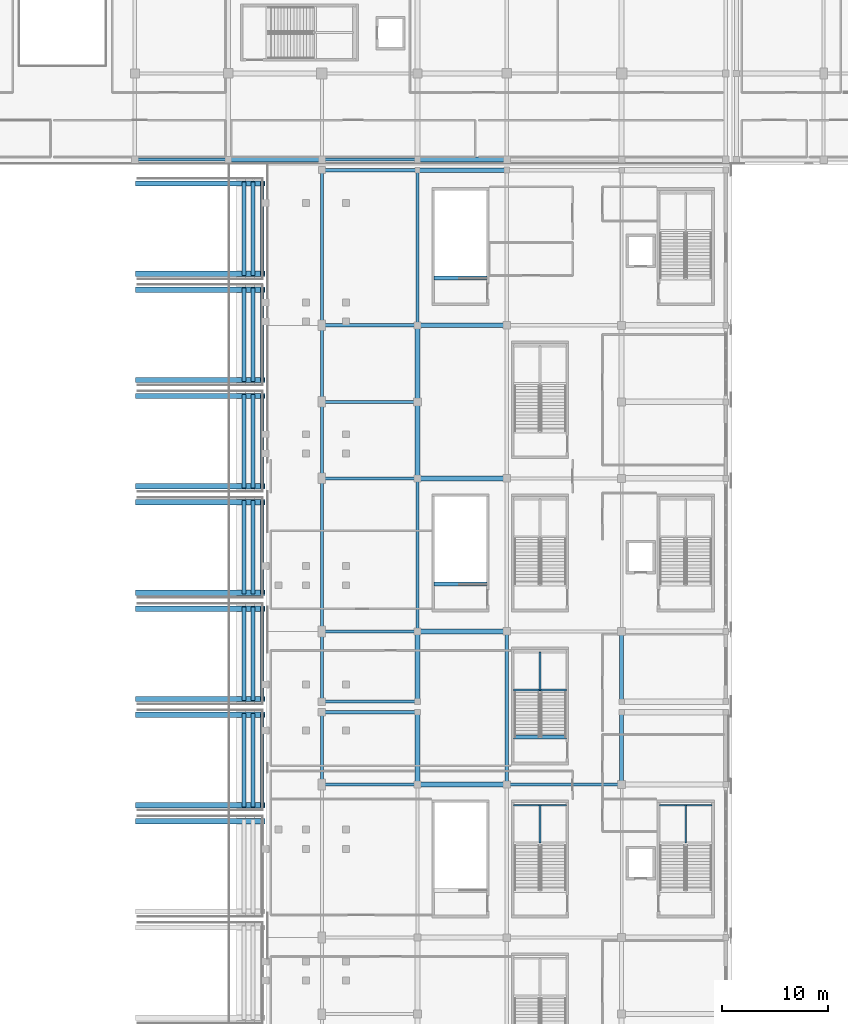
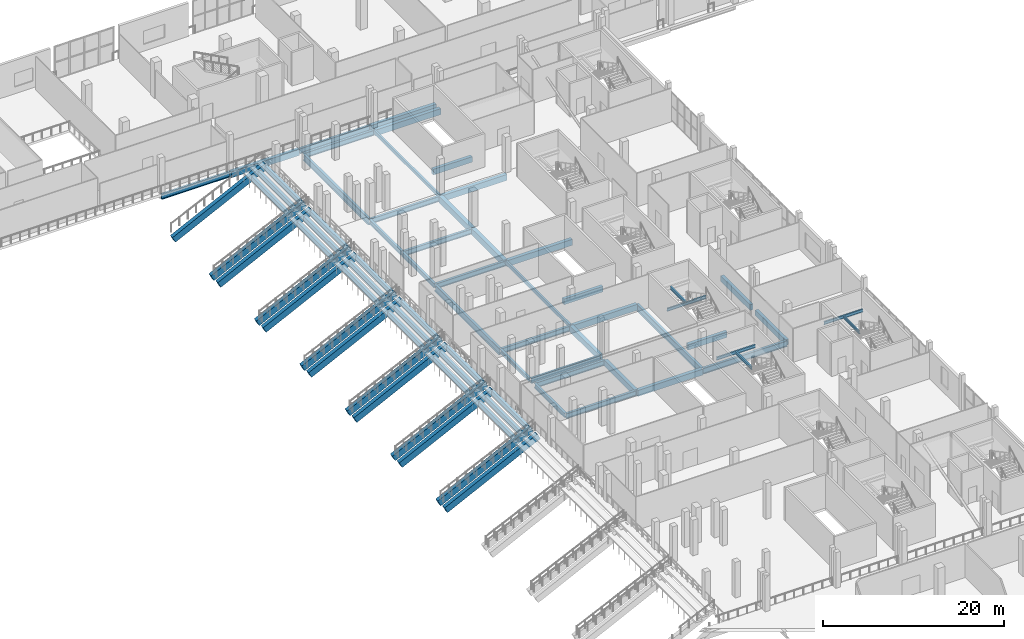
# One storey, part 41 of 129: 73 beams.
"""IFC4 building model written with IfcOpenShell, lengths in metres."""

from ifc_helpers import new_model, si_unit, direction, frame, origin, origin_2d, place, context, subcontext, project, spatial, rectangle, hollow_rectangle, i_section, extrude, material, material_profile, profile_set, type_object, element, save


model = new_model("IFC4")

# Units and contexts
model_context = context("Model", 3, precision=1e-05, world=origin(), true_north=direction((0.0, 1.0)))
body_context = subcontext(model_context, "Body", "Model", "MODEL_VIEW")
ifc_project = project(units=[si_unit("LENGTHUNIT", "METRE"), si_unit("AREAUNIT", "SQUARE_METRE"), si_unit("VOLUMEUNIT", "CUBIC_METRE"), si_unit("PLANEANGLEUNIT", "RADIAN"), si_unit("MASSUNIT", "GRAM", prefix="KILO")], contexts=[model_context])

# Site, building, storey
site_placement = place(None, origin())
site = spatial("IfcSite", under=ifc_project, at=site_placement, CompositionType="ELEMENT")
building_placement = place(site_placement, origin())
building = spatial("IfcBuilding", under=site, at=building_placement, Name="Koshinbarg Plaza Stadium", CompositionType="ELEMENT")
storey_placement = place(building_placement, frame((0.0, 0.0, 5.39990234375)))
storey = spatial("IfcBuildingStorey", under=building, at=storey_placement, Name="L01", CompositionType="ELEMENT", Elevation=5.39990234375)

# Beams
ifc_material_1 = material(Name="Concrete C40/50", Category="concrete")
ifc_material_profile_1 = material_profile(ifc_material_1, rectangle(XDim=0.5, YDim=0.85009765625, at=origin_2d()), Name="RC 500x850")
ifc_profile_set_1 = profile_set([ifc_material_profile_1], Name="Concrete C40/50")
beam_type_1 = type_object("IfcBeamType", Name="BM-RAKER-LT", PredefinedType="USERDEFINED", material=ifc_profile_set_1)
for number, where, z_axis, x_axis, name in (
    (1, (163.0400390625, 65.25, -5.073974609375), (0.897237323905, 0.0, 0.441548620869), (0.0, 1.0, 0.0), "Lower bowl raker girder RAKER LT-E04-R"),
    (2, (163.0400390625, 66.75, -5.073974609375), (0.897237323905, 0.0, 0.441548620869), (0.0, 1.0, 0.0), "Lower bowl raker girder RAKER LT-E05-L"),
    (3, (163.0400390625, 75.25, -5.073974609375), (0.897237323905, 0.0, 0.441548620869), (0.0, 1.0, 0.0), "Lower bowl raker girder RAKER LT-E05-R"),
    (4, (163.0400390625, 76.75, -5.073974609375), (0.897237323905, 0.0, 0.441548620869), (0.0, 1.0, 0.0), "Lower bowl raker girder RAKER LT-E06-L"),
    (5, (163.0400390625, 85.25, -5.073974609375), (0.897237323905, 0.0, 0.441548620869), (0.0, 1.0, 0.0), "Lower bowl raker girder RAKER LT-E06-R"),
    (6, (163.0400390625, 86.75, -5.073974609375), (0.897237323905, 0.0, 0.441548620869), (0.0, 1.0, 0.0), "Lower bowl raker girder RAKER LT-E07-L"),
    (7, (163.0400390625, 95.25, -5.073974609375), (0.897237323905, 0.0, 0.441548620869), (0.0, 1.0, 0.0), "Lower bowl raker girder RAKER LT-E07-R"),
    (8, (163.0400390625, 96.75, -5.073974609375), (0.897237323905, 0.0, 0.441548620869), (0.0, 1.0, 0.0), "Lower bowl raker girder RAKER LT-E08-L"),
    (9, (163.0400390625, 105.25, -5.073974609375), (0.897237323905, 0.0, 0.441548620869), (0.0, 1.0, 0.0), "Lower bowl raker girder RAKER LT-E08-R"),
    (10, (163.0400390625, 106.75, -5.073974609375), (0.897237323905, 0.0, 0.441548620869), (0.0, 1.0, 0.0), "Lower bowl raker girder RAKER LT-E09-L"),
    (11, (163.0400390625, 115.25, -5.073974609375), (0.897237323905, 0.0, 0.441548620869), (0.0, 1.0, 0.0), "Lower bowl raker girder RAKER LT-E09-R"),
    (12, (163.0400390625, 116.75, -5.073974609375), (0.897237323905, 0.0, 0.441548620869), (0.0, 1.0, 0.0), "Lower bowl raker girder RAKER LT-E10-L"),
    (13, (163.0400390625, 125.25, -5.073974609375), (0.897237323905, 0.0, 0.441548620869), (0.0, 1.0, 0.0), "Lower bowl raker girder RAKER LT-E10-R"),
):
    element("IfcBeam", number, at=place(storey_placement, frame(where, z_axis=z_axis, x_axis=x_axis)), inside=storey, type_object=beam_type_1, Name=name, ObjectType="GIRDER", PredefinedType="USERDEFINED", context=body_context, shape_type="SweptSolid", body=[
        extrude(rectangle(XDim=0.5, YDim=0.85009765625, at=origin_2d()), origin(), (0.0, 0.0, 1.0), 13.173828125),
    ])
ifc_material_profile_2 = material_profile(ifc_material_1, rectangle(XDim=0.35009765625, YDim=0.60009765625, at=origin_2d()), Name="RC 350x600")
ifc_profile_set_2 = profile_set([ifc_material_profile_2], Name="Concrete C40/50")
beam_type_2 = type_object("IfcBeamType", Name="BM-RCG-01", PredefinedType="SPANDREL", material=ifc_profile_set_2)
for number, where, z_axis, x_axis, name in (
    (14, (173.080078125, 66.60009765625, -0.27978515625), (0.0, 1.0, 0.0), (-1.0, 0.0, 0.0), "Lower tier seat bearer LT-E05-R12"),
    (15, (173.929931640625, 66.60009765625, 0.14013671875), (0.0, 1.0, 0.0), (-1.0, 0.0, 0.0), "Lower tier seat bearer LT-E05-R13"),
    (16, (174.780029296875, 66.60009765625, 0.56005859375), (0.0, 1.0, 0.0), (-1.0, 0.0, 0.0), "Lower tier seat bearer LT-E05-R14"),
    (17, (173.080078125, 76.60009765625, -0.27978515625), (0.0, 1.0, 0.0), (-1.0, 0.0, 0.0), "Lower tier seat bearer LT-E06-R12"),
    (18, (173.929931640625, 76.60009765625, 0.14013671875), (0.0, 1.0, 0.0), (-1.0, 0.0, 0.0), "Lower tier seat bearer LT-E06-R13"),
    (19, (174.780029296875, 76.60009765625, 0.56005859375), (0.0, 1.0, 0.0), (-1.0, 0.0, 0.0), "Lower tier seat bearer LT-E06-R14"),
    (20, (173.080078125, 86.60009765625, -0.27978515625), (0.0, 1.0, 0.0), (-1.0, 0.0, 0.0), "Lower tier seat bearer LT-E07-R12"),
    (21, (173.929931640625, 86.60009765625, 0.14013671875), (0.0, 1.0, 0.0), (-1.0, 0.0, 0.0), "Lower tier seat bearer LT-E07-R13"),
    (22, (174.780029296875, 86.60009765625, 0.56005859375), (0.0, 1.0, 0.0), (-1.0, 0.0, 0.0), "Lower tier seat bearer LT-E07-R14"),
    (23, (173.080078125, 96.60009765625, -0.27978515625), (0.0, 1.0, 0.0), (-1.0, 0.0, 0.0), "Lower tier seat bearer LT-E08-R12"),
    (24, (173.929931640625, 96.60009765625, 0.14013671875), (0.0, 1.0, 0.0), (-1.0, 0.0, 0.0), "Lower tier seat bearer LT-E08-R13"),
    (25, (174.780029296875, 96.60009765625, 0.56005859375), (0.0, 1.0, 0.0), (-1.0, 0.0, 0.0), "Lower tier seat bearer LT-E08-R14"),
    (26, (173.080078125, 106.60009765625, -0.27978515625), (0.0, 1.0, 0.0), (-1.0, 0.0, 0.0), "Lower tier seat bearer LT-E09-R12"),
    (27, (173.929931640625, 106.60009765625, 0.14013671875), (0.0, 1.0, 0.0), (-1.0, 0.0, 0.0), "Lower tier seat bearer LT-E09-R13"),
    (28, (174.780029296875, 106.60009765625, 0.56005859375), (0.0, 1.0, 0.0), (-1.0, 0.0, 0.0), "Lower tier seat bearer LT-E09-R14"),
    (29, (173.080078125, 116.60009765625, -0.27978515625), (0.0, 1.0, 0.0), (-1.0, 0.0, 0.0), "Lower tier seat bearer LT-E10-R12"),
    (30, (173.929931640625, 116.60009765625, 0.14013671875), (0.0, 1.0, 0.0), (-1.0, 0.0, 0.0), "Lower tier seat bearer LT-E10-R13"),
    (31, (174.780029296875, 116.60009765625, 0.56005859375), (0.0, 1.0, 0.0), (-1.0, 0.0, 0.0), "Lower tier seat bearer LT-E10-R14"),
):
    element("IfcBeam", number, at=place(storey_placement, frame(where, z_axis=z_axis, x_axis=x_axis)), inside=storey, type_object=beam_type_2, Name=name, PredefinedType="SPANDREL", context=body_context, shape_type="SweptSolid", body=[
        extrude(rectangle(XDim=0.35009765625, YDim=0.60009765625, at=origin_2d()), origin(), (0.0, 0.0, 1.0), 8.7998046875),
    ])
ifc_material_profile_3 = material_profile(ifc_material_1, rectangle(XDim=0.39990234375, YDim=0.75, at=origin_2d()), Name="RC 400x750")
ifc_profile_set_3 = profile_set([ifc_material_profile_3], Name="Concrete C40/50")
beam_type_3 = type_object("IfcBeamType", Name="BM-RCG-03", PredefinedType="USERDEFINED", material=ifc_profile_set_3)
beam_1_placement = place(storey_placement, frame((208.60009765625, 68.760009765625, -0.69482421875), z_axis=(0.0, 1.0, 0.0), x_axis=(-1.0, 0.0, 0.0)))
element("IfcBeam", 32, at=beam_1_placement, inside=storey, type_object=beam_type_3, Name="L01 Y girder 20/J-K", ObjectType="GIRDER", PredefinedType="USERDEFINED", context=body_context, shape_type="SweptSolid", body=[
    extrude(rectangle(XDim=0.39990234375, YDim=0.75, at=origin_2d()), origin(), (0.0, 0.0, 1.0), 6.679931640625),
])
beam_2_placement = place(storey_placement, frame((208.60009765625, 76.56005859375, -0.69482421875), z_axis=(0.0, 1.0, 0.0), x_axis=(-1.0, 0.0, 0.0)))
element("IfcBeam", 33, at=beam_2_placement, inside=storey, type_object=beam_type_3, Name="L01 Y girder 20/L-M", ObjectType="GIRDER", PredefinedType="USERDEFINED", context=body_context, shape_type="SweptSolid", body=[
    extrude(rectangle(XDim=0.39990234375, YDim=0.75, at=origin_2d()), origin(), (0.0, 0.0, 1.0), 6.47998046875),
])
for number, where, z_axis, x_axis, name in (
    (34, (198.449951171875, 73.159912109375, -0.375), (1.0, 0.0, 0.0), (0.0, 1.0, 0.0), "L01 stair landing header beam VX10"),
    (35, (190.949951171875, 87.56005859375, -0.375), (1.0, 0.0, 0.0), (0.0, 1.0, 0.0), "L01 stair landing header beam VL07"),
    (36, (190.949951171875, 116.360107421875, -0.375), (1.0, 0.0, 0.0), (0.0, 1.0, 0.0), "L01 stair landing header beam VL08"),
):
    element("IfcBeam", number, at=place(storey_placement, frame(where, z_axis=z_axis, x_axis=x_axis)), inside=storey, type_object=beam_type_3, Name=name, ObjectType="GIRDER", PredefinedType="USERDEFINED", context=body_context, shape_type="SweptSolid", body=[
        extrude(rectangle(XDim=0.39990234375, YDim=0.75, at=origin_2d()), origin(), (0.0, 0.0, 1.0), 4.969970703125),
    ])
ifc_material_profile_4 = material_profile(ifc_material_1, rectangle(XDim=0.449951171875, YDim=0.800048828125, at=origin_2d()), Name="RC 450x800")
ifc_profile_set_4 = profile_set([ifc_material_profile_4], Name="Concrete C40/50")
beam_type_4 = type_object("IfcBeamType", Name="BM-RCG-04", PredefinedType="USERDEFINED", material=ifc_profile_set_4)
for number, where, z_axis, x_axis, name in (
    (37, (189.4599609375, 68.699951171875, -0.719970703125), (1.0, 0.0, 0.0), (0.0, 1.0, 0.0), "L01 X girder J/18-19"),
    (38, (189.4599609375, 83.10009765625, -0.719970703125), (1.0, 0.0, 0.0), (0.0, 1.0, 0.0), "L01 X girder M/18-19"),
    (39, (189.4599609375, 97.5, -0.719970703125), (1.0, 0.0, 0.0), (0.0, 1.0, 0.0), "L01 X girder N/18-19"),
    (40, (189.4599609375, 111.89990234375, -0.719970703125), (1.0, 0.0, 0.0), (0.0, 1.0, 0.0), "L01 X girder Q/18-19"),
    (41, (189.4599609375, 126.5, -0.719970703125), (1.0, 0.0, 0.0), (0.0, 1.0, 0.0), "L01 X girder R/18-19"),
):
    element("IfcBeam", number, at=place(storey_placement, frame(where, z_axis=z_axis, x_axis=x_axis)), inside=storey, type_object=beam_type_4, Name=name, ObjectType="GIRDER", PredefinedType="USERDEFINED", context=body_context, shape_type="SweptSolid", body=[
        extrude(rectangle(XDim=0.449951171875, YDim=0.800048828125, at=origin_2d()), origin(), (0.0, 0.0, 1.0), 8.280029296875),
    ])
beam_3_placement = place(storey_placement, frame((171.659912109375, 127.5, -0.719970703125), z_axis=(1.0, 0.0, 0.0), x_axis=(0.0, 1.0, 0.0)))
element("IfcBeam", 42, at=beam_3_placement, inside=storey, type_object=beam_type_4, Name="L01 X girder S/16-17", ObjectType="GIRDER", PredefinedType="USERDEFINED", context=body_context, shape_type="SweptSolid", body=[
    extrude(rectangle(XDim=0.449951171875, YDim=0.800048828125, at=origin_2d()), origin(), (0.0, 0.0, 1.0), 8.68017578125),
])
beam_4_placement = place(storey_placement, frame((189.4599609375, 127.5, -0.719970703125), z_axis=(1.0, 0.0, 0.0), x_axis=(0.0, 1.0, 0.0)))
element("IfcBeam", 43, at=beam_4_placement, inside=storey, type_object=beam_type_4, Name="L01 X girder S/18-19", ObjectType="GIRDER", PredefinedType="USERDEFINED", context=body_context, shape_type="SweptSolid", body=[
    extrude(rectangle(XDim=0.449951171875, YDim=0.800048828125, at=origin_2d()), origin(), (0.0, 0.0, 1.0), 8.280029296875),
])
beam_5_placement = place(storey_placement, frame((189.39990234375, 68.760009765625, -0.719970703125), z_axis=(0.0, 1.0, 0.0), x_axis=(-1.0, 0.0, 0.0)))
element("IfcBeam", 44, at=beam_5_placement, inside=storey, type_object=beam_type_4, Name="L01 Y girder 18/J-K", ObjectType="GIRDER", PredefinedType="USERDEFINED", context=body_context, shape_type="SweptSolid", body=[
    extrude(rectangle(XDim=0.449951171875, YDim=0.800048828125, at=origin_2d()), origin(), (0.0, 0.0, 1.0), 6.679931640625),
])
beam_6_placement = place(storey_placement, frame((189.39990234375, 76.56005859375, -0.719970703125), z_axis=(0.0, 1.0, 0.0), x_axis=(-1.0, 0.0, 0.0)))
element("IfcBeam", 45, at=beam_6_placement, inside=storey, type_object=beam_type_4, Name="L01 Y girder 18/L-M", ObjectType="GIRDER", PredefinedType="USERDEFINED", context=body_context, shape_type="SweptSolid", body=[
    extrude(rectangle(XDim=0.449951171875, YDim=0.800048828125, at=origin_2d()), origin(), (0.0, 0.0, 1.0), 6.47998046875),
])
ifc_material_profile_5 = material_profile(ifc_material_1, rectangle(XDim=0.5, YDim=0.85009765625, at=origin_2d()), Name="RC 500x850")
ifc_profile_set_5 = profile_set([ifc_material_profile_5], Name="Concrete C40/50")
beam_type_5 = type_object("IfcBeamType", Name="BM-RCG-05", PredefinedType="USERDEFINED", material=ifc_profile_set_5)
beam_7_placement = place(storey_placement, frame((189.39990234375, 97.56005859375, -0.744873046875), z_axis=(0.0, 1.0, 0.0), x_axis=(-1.0, 0.0, 0.0)))
element("IfcBeam", 46, at=beam_7_placement, inside=storey, type_object=beam_type_5, Name="L01 Y girder 18/N-P", ObjectType="GIRDER", PredefinedType="USERDEFINED", context=body_context, shape_type="SweptSolid", body=[
    extrude(rectangle(XDim=0.5, YDim=0.85009765625, at=origin_2d()), origin(), (0.0, 0.0, 1.0), 7.079833984375),
])
beam_8_placement = place(storey_placement, frame((189.39990234375, 104.760009765625, -0.744873046875), z_axis=(0.0, 1.0, 0.0), x_axis=(-1.0, 0.0, 0.0)))
element("IfcBeam", 47, at=beam_8_placement, inside=storey, type_object=beam_type_5, Name="L01 Y girder 18/P-Q", ObjectType="GIRDER", PredefinedType="USERDEFINED", context=body_context, shape_type="SweptSolid", body=[
    extrude(rectangle(XDim=0.5, YDim=0.85009765625, at=origin_2d()), origin(), (0.0, 0.0, 1.0), 7.080078125),
])
ifc_material_2 = material(Name="Steel S355", Category="steel")
ifc_material_profile_6 = material_profile(ifc_material_2, i_section(OverallWidth=0.179931640625, OverallDepth=0.39990234375, WebThickness=0.008544921875, FlangeThickness=0.013427734375, at=origin_2d()), Name="IPE 400")
ifc_profile_set_6 = profile_set([ifc_material_profile_6], Name="Steel S355")
beam_type_6 = type_object("IfcBeamType", Name="BM-SBM-01", PredefinedType="BEAM", material=ifc_profile_set_6)
beam_9_placement = place(storey_placement, frame((212.14990234375, 66.75, 1.880126953125), z_axis=(1.0, 0.0, 0.0), x_axis=(0.0, 1.0, 0.0)))
element("IfcBeam", 48, at=beam_9_placement, inside=storey, type_object=beam_type_6, Name="L01 Protected Exit Stair C08 landing trimmer beam 2", PredefinedType="BEAM", context=body_context, shape_type="SweptSolid", body=[
    extrude(i_section(OverallWidth=0.179931640625, OverallDepth=0.39990234375, WebThickness=0.008544921875, FlangeThickness=0.013427734375, at=origin_2d()), origin(), (0.0, 0.0, 1.0), 4.97021484375),
])
beam_10_placement = place(storey_placement, frame((214.635009765625, 63.2099609375, 1.880126953125), z_axis=(0.0, 1.0, 0.0), x_axis=(-1.0, 0.0, 0.0)))
element("IfcBeam", 49, at=beam_10_placement, inside=storey, type_object=beam_type_6, Name="L01 Protected Exit Stair C08 landing trimmer beam 3", PredefinedType="BEAM", context=body_context, shape_type="SweptSolid", body=[
    extrude(i_section(OverallWidth=0.179931640625, OverallDepth=0.39990234375, WebThickness=0.008544921875, FlangeThickness=0.013427734375, at=origin_2d()), origin(), (0.0, 0.0, 1.0), 3.5400390625),
])
beam_11_placement = place(storey_placement, frame((198.449951171875, 66.75, 1.880126953125), z_axis=(1.0, 0.0, 0.0), x_axis=(0.0, 1.0, 0.0)))
element("IfcBeam", 50, at=beam_11_placement, inside=storey, type_object=beam_type_6, Name="L01 Upper Vomitory Stair VX09 landing trimmer beam 2", PredefinedType="BEAM", context=body_context, shape_type="SweptSolid", body=[
    extrude(i_section(OverallWidth=0.179931640625, OverallDepth=0.39990234375, WebThickness=0.008544921875, FlangeThickness=0.013427734375, at=origin_2d()), origin(), (0.0, 0.0, 1.0), 4.969970703125),
])
beam_12_placement = place(storey_placement, frame((200.93505859375, 63.2099609375, 1.880126953125), z_axis=(0.0, 1.0, 0.0), x_axis=(-1.0, 0.0, 0.0)))
element("IfcBeam", 51, at=beam_12_placement, inside=storey, type_object=beam_type_6, Name="L01 Upper Vomitory Stair VX09 landing trimmer beam 3", PredefinedType="BEAM", context=body_context, shape_type="SweptSolid", body=[
    extrude(i_section(OverallWidth=0.179931640625, OverallDepth=0.39990234375, WebThickness=0.008544921875, FlangeThickness=0.013427734375, at=origin_2d()), origin(), (0.0, 0.0, 1.0), 3.5400390625),
])
beam_13_placement = place(storey_placement, frame((198.449951171875, 77.610107421875, 1.880126953125), z_axis=(1.0, 0.0, 0.0), x_axis=(0.0, 1.0, 0.0)))
element("IfcBeam", 52, at=beam_13_placement, inside=storey, type_object=beam_type_6, Name="L01 Upper Vomitory Stair VX10 landing trimmer beam 1", PredefinedType="BEAM", context=body_context, shape_type="SweptSolid", body=[
    extrude(i_section(OverallWidth=0.179931640625, OverallDepth=0.39990234375, WebThickness=0.008544921875, FlangeThickness=0.013427734375, at=origin_2d()), origin(), (0.0, 0.0, 1.0), 4.969970703125),
])
beam_14_placement = place(storey_placement, frame((200.93505859375, 77.610107421875, 1.880126953125), z_axis=(0.0, 1.0, 0.0), x_axis=(-1.0, 0.0, 0.0)))
element("IfcBeam", 53, at=beam_14_placement, inside=storey, type_object=beam_type_6, Name="L01 Upper Vomitory Stair VX10 landing trimmer beam 3", PredefinedType="BEAM", context=body_context, shape_type="SweptSolid", body=[
    extrude(i_section(OverallWidth=0.179931640625, OverallDepth=0.39990234375, WebThickness=0.008544921875, FlangeThickness=0.013427734375, at=origin_2d()), origin(), (0.0, 0.0, 1.0), 3.539794921875),
])
ifc_material_profile_7 = material_profile(ifc_material_2, i_section(OverallWidth=0.300048828125, OverallDepth=0.5, WebThickness=0.014404296875, FlangeThickness=0.028076171875, at=origin_2d()), Name="HEB 500")
ifc_profile_set_7 = profile_set([ifc_material_profile_7], Name="Steel S355")
beam_type_7 = type_object("IfcBeamType", Name="BM-SGIR-01", PredefinedType="USERDEFINED", material=ifc_profile_set_7)
beam_15_placement = place(storey_placement, frame((180.39990234375, 76.56005859375, -0.56982421875), z_axis=(0.0, 1.0, 0.0), x_axis=(-1.0, 0.0, 0.0)))
element("IfcBeam", 54, at=beam_15_placement, inside=storey, type_object=beam_type_7, Name="L01 Y girder 17/L-M", ObjectType="GIRDER", PredefinedType="USERDEFINED", context=body_context, shape_type="SweptSolid", body=[
    extrude(i_section(OverallWidth=0.300048828125, OverallDepth=0.5, WebThickness=0.014404296875, FlangeThickness=0.028076171875, at=origin_2d()), origin(), (0.0, 0.0, 1.0), 6.47998046875),
])
ifc_material_profile_8 = material_profile(ifc_material_2, i_section(OverallWidth=0.300048828125, OverallDepth=0.60009765625, WebThickness=0.015380859375, FlangeThickness=0.030029296875, at=origin_2d()), Name="HEB 600")
ifc_profile_set_8 = profile_set([ifc_material_profile_8], Name="Steel S355")
beam_type_8 = type_object("IfcBeamType", Name="BM-SGIR-02", PredefinedType="USERDEFINED", material=ifc_profile_set_8)
beam_16_placement = place(storey_placement, frame((180.39990234375, 68.760009765625, -0.619873046875), z_axis=(0.0, 1.0, 0.0), x_axis=(-1.0, 0.0, 0.0)))
element("IfcBeam", 55, at=beam_16_placement, inside=storey, type_object=beam_type_8, Name="L01 Y girder 17/J-K", ObjectType="GIRDER", PredefinedType="USERDEFINED", context=body_context, shape_type="SweptSolid", body=[
    extrude(i_section(OverallWidth=0.300048828125, OverallDepth=0.60009765625, WebThickness=0.015380859375, FlangeThickness=0.030029296875, at=origin_2d()), origin(), (0.0, 0.0, 1.0), 6.679931640625),
])
beam_17_placement = place(storey_placement, frame((180.39990234375, 97.56005859375, -0.619873046875), z_axis=(0.0, 1.0, 0.0), x_axis=(-1.0, 0.0, 0.0)))
element("IfcBeam", 56, at=beam_17_placement, inside=storey, type_object=beam_type_8, Name="L01 Y girder 17/N-P", ObjectType="GIRDER", PredefinedType="USERDEFINED", context=body_context, shape_type="SweptSolid", body=[
    extrude(i_section(OverallWidth=0.300048828125, OverallDepth=0.60009765625, WebThickness=0.015380859375, FlangeThickness=0.030029296875, at=origin_2d()), origin(), (0.0, 0.0, 1.0), 7.079833984375),
])
beam_18_placement = place(storey_placement, frame((180.39990234375, 104.760009765625, -0.619873046875), z_axis=(0.0, 1.0, 0.0), x_axis=(-1.0, 0.0, 0.0)))
element("IfcBeam", 57, at=beam_18_placement, inside=storey, type_object=beam_type_8, Name="L01 Y girder 17/P-Q", ObjectType="GIRDER", PredefinedType="USERDEFINED", context=body_context, shape_type="SweptSolid", body=[
    extrude(i_section(OverallWidth=0.300048828125, OverallDepth=0.60009765625, WebThickness=0.015380859375, FlangeThickness=0.030029296875, at=origin_2d()), origin(), (0.0, 0.0, 1.0), 7.080078125),
])
ifc_material_profile_9 = material_profile(ifc_material_2, i_section(OverallWidth=0.300048828125, OverallDepth=0.699951171875, WebThickness=0.01708984375, FlangeThickness=0.031982421875, at=origin_2d()), Name="HEB 700")
ifc_profile_set_9 = profile_set([ifc_material_profile_9], Name="Steel S355")
beam_type_9 = type_object("IfcBeamType", Name="BM-SGIR-03", PredefinedType="USERDEFINED", material=ifc_profile_set_9)
for number, where, z_axis, x_axis, name in (
    (58, (180.4599609375, 68.699951171875, -0.669921875), (1.0, 0.0, 0.0), (0.0, 1.0, 0.0), "L01 X girder J/17-18"),
    (59, (180.4599609375, 75.5, -0.669921875), (1.0, 0.0, 0.0), (0.0, 1.0, 0.0), "L01 X girder K/17-18"),
    (60, (180.4599609375, 76.5, -0.669921875), (1.0, 0.0, 0.0), (0.0, 1.0, 0.0), "L01 X girder L/17-18"),
    (61, (180.4599609375, 83.10009765625, -0.669921875), (1.0, 0.0, 0.0), (0.0, 1.0, 0.0), "L01 X girder M/17-18"),
    (62, (180.4599609375, 97.5, -0.669921875), (1.0, 0.0, 0.0), (0.0, 1.0, 0.0), "L01 X girder N/17-18"),
    (63, (180.4599609375, 104.699951171875, -0.669921875), (1.0, 0.0, 0.0), (0.0, 1.0, 0.0), "L01 X girder P/17-18"),
    (64, (180.4599609375, 111.89990234375, -0.669921875), (1.0, 0.0, 0.0), (0.0, 1.0, 0.0), "L01 X girder Q/17-18"),
    (65, (180.4599609375, 126.5, -0.669921875), (1.0, 0.0, 0.0), (0.0, 1.0, 0.0), "L01 X girder R/17-18"),
):
    element("IfcBeam", number, at=place(storey_placement, frame(where, z_axis=z_axis, x_axis=x_axis)), inside=storey, type_object=beam_type_9, Name=name, ObjectType="GIRDER", PredefinedType="USERDEFINED", context=body_context, shape_type="SweptSolid", body=[
        extrude(i_section(OverallWidth=0.300048828125, OverallDepth=0.699951171875, WebThickness=0.01708984375, FlangeThickness=0.031982421875, at=origin_2d()), origin(), (0.0, 0.0, 1.0), 8.880126953125),
    ])
beam_19_placement = place(storey_placement, frame((162.860107421875, 127.5, -0.669921875), z_axis=(1.0, 0.0, 0.0), x_axis=(0.0, 1.0, 0.0)))
element("IfcBeam", 66, at=beam_19_placement, inside=storey, type_object=beam_type_9, Name="L01 X girder S/15-16", ObjectType="GIRDER", PredefinedType="USERDEFINED", context=body_context, shape_type="SweptSolid", body=[
    extrude(i_section(OverallWidth=0.300048828125, OverallDepth=0.699951171875, WebThickness=0.01708984375, FlangeThickness=0.031982421875, at=origin_2d()), origin(), (0.0, 0.0, 1.0), 8.679931640625),
])
beam_20_placement = place(storey_placement, frame((180.4599609375, 127.5, -0.669921875), z_axis=(1.0, 0.0, 0.0), x_axis=(0.0, 1.0, 0.0)))
element("IfcBeam", 67, at=beam_20_placement, inside=storey, type_object=beam_type_9, Name="L01 X girder S/17-18", ObjectType="GIRDER", PredefinedType="USERDEFINED", context=body_context, shape_type="SweptSolid", body=[
    extrude(i_section(OverallWidth=0.300048828125, OverallDepth=0.699951171875, WebThickness=0.01708984375, FlangeThickness=0.031982421875, at=origin_2d()), origin(), (0.0, 0.0, 1.0), 8.880126953125),
])
ifc_material_profile_10 = material_profile(ifc_material_2, i_section(OverallWidth=0.300048828125, OverallDepth=0.800048828125, WebThickness=0.017578125, FlangeThickness=0.032958984375, at=origin_2d()), Name="HEB 800")
ifc_profile_set_10 = profile_set([ifc_material_profile_10], Name="Steel S355")
beam_type_10 = type_object("IfcBeamType", Name="BM-SGIR-04", PredefinedType="USERDEFINED", material=ifc_profile_set_10)
beam_21_placement = place(storey_placement, frame((197.860107421875, 68.699951171875, -0.719970703125), z_axis=(1.0, 0.0, 0.0), x_axis=(0.0, 1.0, 0.0)))
element("IfcBeam", 68, at=beam_21_placement, inside=storey, type_object=beam_type_10, Name="L01 X girder J/19-20", ObjectType="GIRDER", PredefinedType="USERDEFINED", context=body_context, shape_type="SweptSolid", body=[
    extrude(i_section(OverallWidth=0.300048828125, OverallDepth=0.800048828125, WebThickness=0.017578125, FlangeThickness=0.032958984375, at=origin_2d()), origin(), (0.0, 0.0, 1.0), 10.679931640625),
])
ifc_material_profile_11 = material_profile(ifc_material_2, i_section(OverallWidth=0.300048828125, OverallDepth=0.89990234375, WebThickness=0.0185546875, FlangeThickness=0.034912109375, at=origin_2d()), Name="HEB 900")
ifc_profile_set_11 = profile_set([ifc_material_profile_11], Name="Steel S355")
beam_type_11 = type_object("IfcBeamType", Name="BM-SGIR-05", PredefinedType="USERDEFINED", material=ifc_profile_set_11)
beam_22_placement = place(storey_placement, frame((180.39990234375, 83.159912109375, -0.77001953125), z_axis=(0.0, 1.0, 0.0), x_axis=(-1.0, 0.0, 0.0)))
element("IfcBeam", 69, at=beam_22_placement, inside=storey, type_object=beam_type_11, Name="L01 Y girder 17/M-N", ObjectType="GIRDER", PredefinedType="USERDEFINED", context=body_context, shape_type="SweptSolid", body=[
    extrude(i_section(OverallWidth=0.300048828125, OverallDepth=0.89990234375, WebThickness=0.0185546875, FlangeThickness=0.034912109375, at=origin_2d()), origin(), (0.0, 0.0, 1.0), 14.280029296875),
])
beam_23_placement = place(storey_placement, frame((180.39990234375, 111.9599609375, -0.77001953125), z_axis=(0.0, 1.0, 0.0), x_axis=(-1.0, 0.0, 0.0)))
element("IfcBeam", 70, at=beam_23_placement, inside=storey, type_object=beam_type_11, Name="L01 Y girder 17/Q-R", ObjectType="GIRDER", PredefinedType="USERDEFINED", context=body_context, shape_type="SweptSolid", body=[
    extrude(i_section(OverallWidth=0.300048828125, OverallDepth=0.89990234375, WebThickness=0.0185546875, FlangeThickness=0.034912109375, at=origin_2d()), origin(), (0.0, 0.0, 1.0), 14.47998046875),
])
beam_24_placement = place(storey_placement, frame((197.800048828125, 68.760009765625, -0.77001953125), z_axis=(0.0, 1.0, 0.0), x_axis=(-1.0, 0.0, 0.0)))
element("IfcBeam", 71, at=beam_24_placement, inside=storey, type_object=beam_type_11, Name="L01 Y girder 19/J-M", ObjectType="GIRDER", PredefinedType="USERDEFINED", context=body_context, shape_type="SweptSolid", body=[
    extrude(i_section(OverallWidth=0.300048828125, OverallDepth=0.89990234375, WebThickness=0.0185546875, FlangeThickness=0.034912109375, at=origin_2d()), origin(), (0.0, 0.0, 1.0), 14.280029296875),
])
ifc_material_profile_12 = material_profile(ifc_material_2, hollow_rectangle(XDim=0.25, YDim=0.449951171875, WallThickness=0.01611328125, at=origin_2d()), Name="RHS 450x250x16")
ifc_profile_set_12 = profile_set([ifc_material_profile_12], Name="Steel S355")
beam_type_12 = type_object("IfcBeamType", Name="BM-SGIR-06", PredefinedType="USERDEFINED", material=ifc_profile_set_12)
beam_25_placement = place(storey_placement, frame((189.39990234375, 83.159912109375, -0.544921875), z_axis=(0.0, 1.0, 0.0), x_axis=(-1.0, 0.0, 0.0)))
element("IfcBeam", 72, at=beam_25_placement, inside=storey, type_object=beam_type_12, Name="L01 Y girder 18/M-N", ObjectType="GIRDER", PredefinedType="USERDEFINED", context=body_context, shape_type="SweptSolid", body=[
    extrude(hollow_rectangle(XDim=0.25, YDim=0.449951171875, WallThickness=0.01611328125, at=origin_2d()), origin(), (0.0, 0.0, 1.0), 14.280029296875),
])
beam_26_placement = place(storey_placement, frame((189.39990234375, 111.9599609375, -0.544921875), z_axis=(0.0, 1.0, 0.0), x_axis=(-1.0, 0.0, 0.0)))
element("IfcBeam", 73, at=beam_26_placement, inside=storey, type_object=beam_type_12, Name="L01 Y girder 18/Q-R", ObjectType="GIRDER", PredefinedType="USERDEFINED", context=body_context, shape_type="SweptSolid", body=[
    extrude(hollow_rectangle(XDim=0.25, YDim=0.449951171875, WallThickness=0.01611328125, at=origin_2d()), origin(), (0.0, 0.0, 1.0), 14.47998046875),
])

save(model, "model.ifc")
